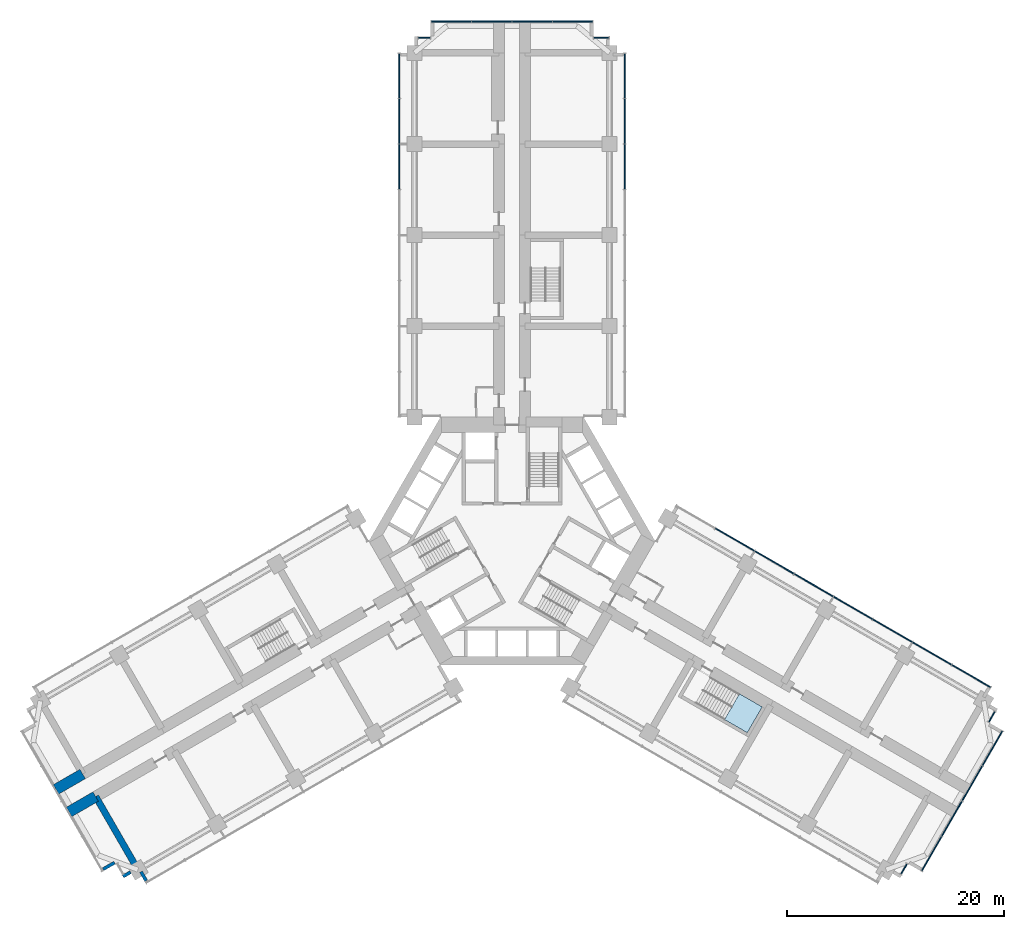
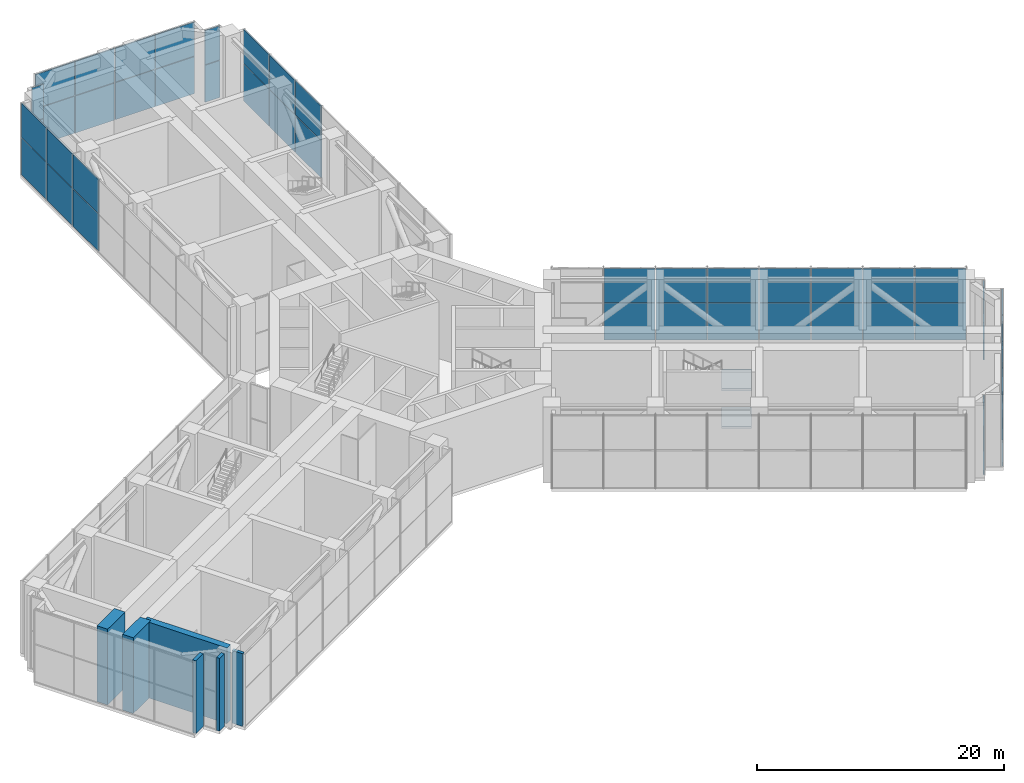
# One storey, part 12 of 19: 50 plates, 6 walls, 2 slabs, 10 elements without a shape of their own.
"""IFC4 building model written with IfcOpenShell, lengths in metres."""

from ifc_helpers import new_model, si_unit, direction, frame, frame_2d, origin, origin_2d, place, context, subcontext, project, spatial, polyline, rectangle, outline, extrude, material, layer, layer_set, type_object, element, aggregate, save


model = new_model("IFC4")

# Units and contexts
model_context = context("Model", 3, precision=1e-05, world=origin(), true_north=direction((0.0, 1.0)))
body_context = subcontext(model_context, "Body", "Model", "MODEL_VIEW")
ifc_project = project(units=[si_unit("LENGTHUNIT", "METRE"), si_unit("AREAUNIT", "SQUARE_METRE"), si_unit("VOLUMEUNIT", "CUBIC_METRE"), si_unit("PLANEANGLEUNIT", "RADIAN"), si_unit("MASSUNIT", "GRAM", prefix="KILO")], contexts=[model_context])

# Site, building, storey
site_placement = place(None, origin())
site = spatial("IfcSite", under=ifc_project, at=site_placement, CompositionType="ELEMENT")
building_placement = place(site_placement, origin())
building = spatial("IfcBuilding", under=site, at=building_placement, Name="Impinga Residences", CompositionType="ELEMENT")
storey_placement = place(building_placement, frame((0.0, 0.0, 93.5)))
storey = spatial("IfcBuildingStorey", under=building, at=storey_placement, Name="L23", CompositionType="ELEMENT", Elevation=93.5)

# Curtain wall, plates
ifc_material_1 = material(Name="Aluminium stick curtain wall", Category="aluminium")
curtain_wall_type = type_object("IfcCurtainWallType", Name="CW4 plant floor louvred curtain wall", PredefinedType="USERDEFINED", material=ifc_material_1)
curtain_wall_1_placement = place(storey_placement, origin())
curtain_wall_1 = element("IfcCurtainWall", 1, at=curtain_wall_1_placement, inside=storey, type_object=curtain_wall_type, Name="Curtain wall CW4 L23", ObjectType="STICK CURTAIN WALL", PredefinedType="USERDEFINED")
ifc_material_2 = material(Name="Aluminium louvre blade panel", Category="aluminium")
ifc_layer_1 = layer(ifc_material_2, 0.10009765625)
ifc_layer_set_1 = layer_set([ifc_layer_1], Name="CW4-P louvre panel 100")
plate_type = type_object("IfcPlateType", Name="CW4-P louvre panel 100", PredefinedType="CURTAIN_PANEL", material=ifc_layer_set_1)
plate_1_placement = place(storey_placement, frame((-10.39990234375, 34.531494140625, 0.06005859375), z_axis=(0.0, 0.0, 1.0), x_axis=(0.0, 1.0, 0.0)))
plate_1 = element("IfcPlate", 2, at=plate_1_placement, type_object=plate_type, Name="CW4 panel 6.1", PredefinedType="CURTAIN_PANEL", context=body_context, shape_type="SweptSolid", body=[
    extrude(rectangle(XDim=4.139892578125, YDim=0.10009765625, at=origin_2d()), origin(), (0.0, 0.0, 1.0), 3.659912109375),
])
plate_2_placement = place(storey_placement, frame((-10.39990234375, 34.531494140625, 3.77978515625), z_axis=(0.0, 0.0, 1.0), x_axis=(0.0, 1.0, 0.0)))
plate_2 = element("IfcPlate", 3, at=plate_2_placement, type_object=plate_type, Name="CW4 panel 6.2", PredefinedType="CURTAIN_PANEL", context=body_context, shape_type="SweptSolid", body=[
    extrude(rectangle(XDim=4.139892578125, YDim=0.10009765625, at=origin_2d()), origin(), (0.0, 0.0, 1.0), 3.360107421875),
])
plate_3_placement = place(storey_placement, frame((-10.39990234375, 38.7314453125, 0.06005859375), z_axis=(0.0, 0.0, 1.0), x_axis=(0.0, 1.0, 0.0)))
plate_3 = element("IfcPlate", 4, at=plate_3_placement, type_object=plate_type, Name="CW4 panel 7.1", PredefinedType="CURTAIN_PANEL", context=body_context, shape_type="SweptSolid", body=[
    extrude(rectangle(XDim=4.139892578125, YDim=0.10009765625, at=origin_2d()), origin(), (0.0, 0.0, 1.0), 3.659912109375),
])
plate_4_placement = place(storey_placement, frame((-10.39990234375, 38.7314453125, 3.77978515625), z_axis=(0.0, 0.0, 1.0), x_axis=(0.0, 1.0, 0.0)))
plate_4 = element("IfcPlate", 5, at=plate_4_placement, type_object=plate_type, Name="CW4 panel 7.2", PredefinedType="CURTAIN_PANEL", context=body_context, shape_type="SweptSolid", body=[
    extrude(rectangle(XDim=4.139892578125, YDim=0.10009765625, at=origin_2d()), origin(), (0.0, 0.0, 1.0), 3.360107421875),
])
plate_5_placement = place(storey_placement, frame((-10.39990234375, 42.91650390625, 0.06005859375), z_axis=(0.0, 0.0, 1.0), x_axis=(0.0, 1.0, 0.0)))
plate_5 = element("IfcPlate", 6, at=plate_5_placement, type_object=plate_type, Name="CW4 panel 8.1", PredefinedType="CURTAIN_PANEL", context=body_context, shape_type="SweptSolid", body=[
    extrude(rectangle(XDim=4.110107421875, YDim=0.10009765625, at=origin_2d()), origin(), (0.0, 0.0, 1.0), 3.659912109375),
])
plate_6_placement = place(storey_placement, frame((-10.39990234375, 42.91650390625, 3.77978515625), z_axis=(0.0, 0.0, 1.0), x_axis=(0.0, 1.0, 0.0)))
plate_6 = element("IfcPlate", 7, at=plate_6_placement, type_object=plate_type, Name="CW4 panel 8.2", PredefinedType="CURTAIN_PANEL", context=body_context, shape_type="SweptSolid", body=[
    extrude(rectangle(XDim=4.110107421875, YDim=0.10009765625, at=origin_2d()), origin(), (0.0, 0.0, 1.0), 3.360107421875),
])
aggregate(curtain_wall_1, [plate_1, plate_2, plate_3, plate_4, plate_5, plate_6])

curtain_wall_2_placement = place(storey_placement, origin())
curtain_wall_2 = element("IfcCurtainWall", 8, at=curtain_wall_2_placement, inside=storey, type_object=curtain_wall_type, Name="Curtain wall CW4 L23", ObjectType="STICK CURTAIN WALL", PredefinedType="USERDEFINED")
plate_7_placement = place(storey_placement, frame((-8.10009765625, 46.431640625, 0.06005859375), z_axis=(0.0, 0.0, 1.0), x_axis=(1.0, 0.0, 0.0)))
plate_7 = element("IfcPlate", 9, at=plate_7_placement, type_object=plate_type, Name="CW4 panel 1.1", PredefinedType="CURTAIN_PANEL", context=body_context, shape_type="SweptSolid", body=[
    extrude(rectangle(XDim=1.080078125, YDim=0.10009765625, at=origin_2d()), origin(), (0.0, 0.0, 1.0), 3.659912109375),
])
plate_8_placement = place(storey_placement, frame((-8.10009765625, 46.431640625, 3.77978515625), z_axis=(0.0, 0.0, 1.0), x_axis=(1.0, 0.0, 0.0)))
plate_8 = element("IfcPlate", 10, at=plate_8_placement, type_object=plate_type, Name="CW4 panel 1.2", PredefinedType="CURTAIN_PANEL", context=body_context, shape_type="SweptSolid", body=[
    extrude(rectangle(XDim=1.080078125, YDim=0.10009765625, at=origin_2d()), origin(), (0.0, 0.0, 1.0), 3.360107421875),
])
aggregate(curtain_wall_2, [plate_7, plate_8])

curtain_wall_3_placement = place(storey_placement, origin())
curtain_wall_3 = element("IfcCurtainWall", 11, at=curtain_wall_3_placement, inside=storey, type_object=curtain_wall_type, Name="Curtain wall CW4 L23", ObjectType="STICK CURTAIN WALL", PredefinedType="USERDEFINED")
plate_9_placement = place(storey_placement, frame((-5.610107421875, 47.931640625, 0.06005859375), z_axis=(0.0, 0.0, 1.0), x_axis=(1.0, 0.0, 0.0)))
plate_9 = element("IfcPlate", 12, at=plate_9_placement, type_object=plate_type, Name="CW4 panel 1.1", PredefinedType="CURTAIN_PANEL", context=body_context, shape_type="SweptSolid", body=[
    extrude(rectangle(XDim=3.659912109375, YDim=0.10009765625, at=origin_2d()), origin(), (0.0, 0.0, 1.0), 3.659912109375),
])
plate_10_placement = place(storey_placement, frame((-5.610107421875, 47.931640625, 3.77978515625), z_axis=(0.0, 0.0, 1.0), x_axis=(1.0, 0.0, 0.0)))
plate_10 = element("IfcPlate", 13, at=plate_10_placement, type_object=plate_type, Name="CW4 panel 1.2", PredefinedType="CURTAIN_PANEL", context=body_context, shape_type="SweptSolid", body=[
    extrude(rectangle(XDim=3.659912109375, YDim=0.10009765625, at=origin_2d()), origin(), (0.0, 0.0, 1.0), 3.360107421875),
])
plate_11_placement = place(storey_placement, frame((-1.875, 47.931640625, 0.06005859375), z_axis=(0.0, 0.0, 1.0), x_axis=(1.0, 0.0, 0.0)))
plate_11 = element("IfcPlate", 14, at=plate_11_placement, type_object=plate_type, Name="CW4 panel 2.1", PredefinedType="CURTAIN_PANEL", context=body_context, shape_type="SweptSolid", body=[
    extrude(rectangle(XDim=3.68994140625, YDim=0.10009765625, at=origin_2d()), origin(), (0.0, 0.0, 1.0), 3.659912109375),
])
plate_12_placement = place(storey_placement, frame((-1.875, 47.931640625, 3.77978515625), z_axis=(0.0, 0.0, 1.0), x_axis=(1.0, 0.0, 0.0)))
plate_12 = element("IfcPlate", 15, at=plate_12_placement, type_object=plate_type, Name="CW4 panel 2.2", PredefinedType="CURTAIN_PANEL", context=body_context, shape_type="SweptSolid", body=[
    extrude(rectangle(XDim=3.68994140625, YDim=0.10009765625, at=origin_2d()), origin(), (0.0, 0.0, 1.0), 3.360107421875),
])
plate_13_placement = place(storey_placement, frame((1.875, 47.931640625, 0.06005859375), z_axis=(0.0, 0.0, 1.0), x_axis=(1.0, 0.0, 0.0)))
plate_13 = element("IfcPlate", 16, at=plate_13_placement, type_object=plate_type, Name="CW4 panel 3.1", PredefinedType="CURTAIN_PANEL", context=body_context, shape_type="SweptSolid", body=[
    extrude(rectangle(XDim=3.68994140625, YDim=0.10009765625, at=origin_2d()), origin(), (0.0, 0.0, 1.0), 3.659912109375),
])
plate_14_placement = place(storey_placement, frame((1.875, 47.931640625, 3.77978515625), z_axis=(0.0, 0.0, 1.0), x_axis=(1.0, 0.0, 0.0)))
plate_14 = element("IfcPlate", 17, at=plate_14_placement, type_object=plate_type, Name="CW4 panel 3.2", PredefinedType="CURTAIN_PANEL", context=body_context, shape_type="SweptSolid", body=[
    extrude(rectangle(XDim=3.68994140625, YDim=0.10009765625, at=origin_2d()), origin(), (0.0, 0.0, 1.0), 3.360107421875),
])
plate_15_placement = place(storey_placement, frame((5.610107421875, 47.931640625, 0.06005859375), z_axis=(0.0, 0.0, 1.0), x_axis=(1.0, 0.0, 0.0)))
plate_15 = element("IfcPlate", 18, at=plate_15_placement, type_object=plate_type, Name="CW4 panel 4.1", PredefinedType="CURTAIN_PANEL", context=body_context, shape_type="SweptSolid", body=[
    extrude(rectangle(XDim=3.659912109375, YDim=0.10009765625, at=origin_2d()), origin(), (0.0, 0.0, 1.0), 3.659912109375),
])
plate_16_placement = place(storey_placement, frame((5.610107421875, 47.931640625, 3.77978515625), z_axis=(0.0, 0.0, 1.0), x_axis=(1.0, 0.0, 0.0)))
plate_16 = element("IfcPlate", 19, at=plate_16_placement, type_object=plate_type, Name="CW4 panel 4.2", PredefinedType="CURTAIN_PANEL", context=body_context, shape_type="SweptSolid", body=[
    extrude(rectangle(XDim=3.659912109375, YDim=0.10009765625, at=origin_2d()), origin(), (0.0, 0.0, 1.0), 3.360107421875),
])
aggregate(curtain_wall_3, [plate_9, plate_10, plate_11, plate_12, plate_13, plate_14, plate_15, plate_16])

curtain_wall_4_placement = place(storey_placement, origin())
curtain_wall_4 = element("IfcCurtainWall", 20, at=curtain_wall_4_placement, inside=storey, type_object=curtain_wall_type, Name="Curtain wall CW4 L23", ObjectType="STICK CURTAIN WALL", PredefinedType="USERDEFINED")
plate_17_placement = place(storey_placement, frame((8.25, 46.431640625, 0.06005859375), z_axis=(0.0, 0.0, 1.0), x_axis=(1.0, 0.0, 0.0)))
plate_17 = element("IfcPlate", 21, at=plate_17_placement, type_object=plate_type, Name="CW4 panel 1.1", PredefinedType="CURTAIN_PANEL", context=body_context, shape_type="SweptSolid", body=[
    extrude(rectangle(XDim=1.3798828125, YDim=0.10009765625, at=origin_2d()), origin(), (0.0, 0.0, 1.0), 3.659912109375),
])
plate_18_placement = place(storey_placement, frame((8.25, 46.431640625, 3.77978515625), z_axis=(0.0, 0.0, 1.0), x_axis=(1.0, 0.0, 0.0)))
plate_18 = element("IfcPlate", 22, at=plate_18_placement, type_object=plate_type, Name="CW4 panel 1.2", PredefinedType="CURTAIN_PANEL", context=body_context, shape_type="SweptSolid", body=[
    extrude(rectangle(XDim=1.3798828125, YDim=0.10009765625, at=origin_2d()), origin(), (0.0, 0.0, 1.0), 3.360107421875),
])
aggregate(curtain_wall_4, [plate_17, plate_18])

curtain_wall_5_placement = place(storey_placement, origin())
curtain_wall_5 = element("IfcCurtainWall", 23, at=curtain_wall_5_placement, inside=storey, type_object=curtain_wall_type, Name="Curtain wall CW4 L23", ObjectType="STICK CURTAIN WALL", PredefinedType="USERDEFINED")
plate_19_placement = place(storey_placement, frame((10.39990234375, 42.91650390625, 0.06005859375), z_axis=(0.0, 0.0, 1.0), x_axis=(0.0, -1.0, 0.0)))
plate_19 = element("IfcPlate", 24, at=plate_19_placement, type_object=plate_type, Name="CW4 panel 1.1", PredefinedType="CURTAIN_PANEL", context=body_context, shape_type="SweptSolid", body=[
    extrude(rectangle(XDim=4.110107421875, YDim=0.10009765625, at=origin_2d()), origin(), (0.0, 0.0, 1.0), 3.659912109375),
])
plate_20_placement = place(storey_placement, frame((10.39990234375, 42.91650390625, 3.77978515625), z_axis=(0.0, 0.0, 1.0), x_axis=(0.0, -1.0, 0.0)))
plate_20 = element("IfcPlate", 25, at=plate_20_placement, type_object=plate_type, Name="CW4 panel 1.2", PredefinedType="CURTAIN_PANEL", context=body_context, shape_type="SweptSolid", body=[
    extrude(rectangle(XDim=4.110107421875, YDim=0.10009765625, at=origin_2d()), origin(), (0.0, 0.0, 1.0), 3.360107421875),
])
plate_21_placement = place(storey_placement, frame((10.39990234375, 38.7314453125, 0.06005859375), z_axis=(0.0, 0.0, 1.0), x_axis=(0.0, -1.0, 0.0)))
plate_21 = element("IfcPlate", 26, at=plate_21_placement, type_object=plate_type, Name="CW4 panel 2.1", PredefinedType="CURTAIN_PANEL", context=body_context, shape_type="SweptSolid", body=[
    extrude(rectangle(XDim=4.139892578125, YDim=0.10009765625, at=origin_2d()), origin(), (0.0, 0.0, 1.0), 3.659912109375),
])
plate_22_placement = place(storey_placement, frame((10.39990234375, 38.7314453125, 3.77978515625), z_axis=(0.0, 0.0, 1.0), x_axis=(0.0, -1.0, 0.0)))
plate_22 = element("IfcPlate", 27, at=plate_22_placement, type_object=plate_type, Name="CW4 panel 2.2", PredefinedType="CURTAIN_PANEL", context=body_context, shape_type="SweptSolid", body=[
    extrude(rectangle(XDim=4.139892578125, YDim=0.10009765625, at=origin_2d()), origin(), (0.0, 0.0, 1.0), 3.360107421875),
])
plate_23_placement = place(storey_placement, frame((10.39990234375, 34.531494140625, 0.06005859375), z_axis=(0.0, 0.0, 1.0), x_axis=(0.0, -1.0, 0.0)))
plate_23 = element("IfcPlate", 28, at=plate_23_placement, type_object=plate_type, Name="CW4 panel 3.1", PredefinedType="CURTAIN_PANEL", context=body_context, shape_type="SweptSolid", body=[
    extrude(rectangle(XDim=4.139892578125, YDim=0.10009765625, at=origin_2d()), origin(), (0.0, 0.0, 1.0), 3.659912109375),
])
plate_24_placement = place(storey_placement, frame((10.39990234375, 34.531494140625, 3.77978515625), z_axis=(0.0, 0.0, 1.0), x_axis=(0.0, -1.0, 0.0)))
plate_24 = element("IfcPlate", 29, at=plate_24_placement, type_object=plate_type, Name="CW4 panel 3.2", PredefinedType="CURTAIN_PANEL", context=body_context, shape_type="SweptSolid", body=[
    extrude(rectangle(XDim=4.139892578125, YDim=0.10009765625, at=origin_2d()), origin(), (0.0, 0.0, 1.0), 3.360107421875),
])
aggregate(curtain_wall_5, [plate_19, plate_20, plate_21, plate_22, plate_23, plate_24])

curtain_wall_6_placement = place(storey_placement, origin())
curtain_wall_6 = element("IfcCurtainWall", 30, at=curtain_wall_6_placement, inside=storey, type_object=curtain_wall_type, Name="Curtain wall CW4 L23", ObjectType="STICK CURTAIN WALL", PredefinedType="USERDEFINED")
plate_25_placement = place(storey_placement, frame((20.555908203125, 0.140869140625, 0.06005859375), z_axis=(0.0, 0.0, 1.0), x_axis=(0.866025407005, -0.499999994423, 0.0)))
plate_25 = element("IfcPlate", 31, at=plate_25_placement, type_object=plate_type, Name="CW4 panel 2.1", PredefinedType="CURTAIN_PANEL", context=body_context, shape_type="SweptSolid", body=[
    extrude(rectangle(XDim=4.139892578125, YDim=0.10009765625, at=origin_2d()), origin(), (0.0, 0.0, 1.0), 3.659912109375),
])
plate_26_placement = place(storey_placement, frame((20.555908203125, 0.140869140625, 3.77978515625), z_axis=(0.0, 0.0, 1.0), x_axis=(0.866025407005, -0.499999994423, 0.0)))
plate_26 = element("IfcPlate", 32, at=plate_26_placement, type_object=plate_type, Name="CW4 panel 2.2", PredefinedType="CURTAIN_PANEL", context=body_context, shape_type="SweptSolid", body=[
    extrude(rectangle(XDim=4.139892578125, YDim=0.10009765625, at=origin_2d()), origin(), (0.0, 0.0, 1.0), 3.360107421875),
])
plate_27_placement = place(storey_placement, frame((24.193359375, -1.958984375, 0.06005859375), z_axis=(0.0, 0.0, 1.0), x_axis=(0.866025407005, -0.499999994423, 0.0)))
plate_27 = element("IfcPlate", 33, at=plate_27_placement, type_object=plate_type, Name="CW4 panel 3.1", PredefinedType="CURTAIN_PANEL", context=body_context, shape_type="SweptSolid", body=[
    extrude(rectangle(XDim=4.139892578125, YDim=0.10009765625, at=origin_2d()), origin(), (0.0, 0.0, 1.0), 3.659912109375),
])
plate_28_placement = place(storey_placement, frame((24.193359375, -1.958984375, 3.77978515625), z_axis=(0.0, 0.0, 1.0), x_axis=(0.866025407005, -0.499999994423, 0.0)))
plate_28 = element("IfcPlate", 34, at=plate_28_placement, type_object=plate_type, Name="CW4 panel 3.2", PredefinedType="CURTAIN_PANEL", context=body_context, shape_type="SweptSolid", body=[
    extrude(rectangle(XDim=4.139892578125, YDim=0.10009765625, at=origin_2d()), origin(), (0.0, 0.0, 1.0), 3.360107421875),
])
plate_29_placement = place(storey_placement, frame((27.83056640625, -4.05908203125, 0.06005859375), z_axis=(0.0, 0.0, 1.0), x_axis=(0.866025407005, -0.499999994423, 0.0)))
plate_29 = element("IfcPlate", 35, at=plate_29_placement, type_object=plate_type, Name="CW4 panel 4.1", PredefinedType="CURTAIN_PANEL", context=body_context, shape_type="SweptSolid", body=[
    extrude(rectangle(XDim=4.139892578125, YDim=0.10009765625, at=origin_2d()), origin(), (0.0, 0.0, 1.0), 3.659912109375),
])
plate_30_placement = place(storey_placement, frame((27.83056640625, -4.05908203125, 3.77978515625), z_axis=(0.0, 0.0, 1.0), x_axis=(0.866025407005, -0.499999994423, 0.0)))
plate_30 = element("IfcPlate", 36, at=plate_30_placement, type_object=plate_type, Name="CW4 panel 4.2", PredefinedType="CURTAIN_PANEL", context=body_context, shape_type="SweptSolid", body=[
    extrude(rectangle(XDim=4.139892578125, YDim=0.10009765625, at=origin_2d()), origin(), (0.0, 0.0, 1.0), 3.360107421875),
])
plate_31_placement = place(storey_placement, frame((31.4677734375, -6.1591796875, 0.06005859375), z_axis=(0.0, 0.0, 1.0), x_axis=(0.866025407005, -0.499999994423, 0.0)))
plate_31 = element("IfcPlate", 37, at=plate_31_placement, type_object=plate_type, Name="CW4 panel 5.1", PredefinedType="CURTAIN_PANEL", context=body_context, shape_type="SweptSolid", body=[
    extrude(rectangle(XDim=4.139892578125, YDim=0.10009765625, at=origin_2d()), origin(), (0.0, 0.0, 1.0), 3.659912109375),
])
plate_32_placement = place(storey_placement, frame((31.4677734375, -6.1591796875, 3.77978515625), z_axis=(0.0, 0.0, 1.0), x_axis=(0.866025407005, -0.499999994423, 0.0)))
plate_32 = element("IfcPlate", 38, at=plate_32_placement, type_object=plate_type, Name="CW4 panel 5.2", PredefinedType="CURTAIN_PANEL", context=body_context, shape_type="SweptSolid", body=[
    extrude(rectangle(XDim=4.139892578125, YDim=0.10009765625, at=origin_2d()), origin(), (0.0, 0.0, 1.0), 3.360107421875),
])
plate_33_placement = place(storey_placement, frame((35.105224609375, -8.259033203125, 0.06005859375), z_axis=(0.0, 0.0, 1.0), x_axis=(0.866025407005, -0.499999994423, 0.0)))
plate_33 = element("IfcPlate", 39, at=plate_33_placement, type_object=plate_type, Name="CW4 panel 6.1", PredefinedType="CURTAIN_PANEL", context=body_context, shape_type="SweptSolid", body=[
    extrude(rectangle(XDim=4.139892578125, YDim=0.10009765625, at=origin_2d()), origin(), (0.0, 0.0, 1.0), 3.659912109375),
])
plate_34_placement = place(storey_placement, frame((35.105224609375, -8.259033203125, 3.77978515625), z_axis=(0.0, 0.0, 1.0), x_axis=(0.866025407005, -0.499999994423, 0.0)))
plate_34 = element("IfcPlate", 40, at=plate_34_placement, type_object=plate_type, Name="CW4 panel 6.2", PredefinedType="CURTAIN_PANEL", context=body_context, shape_type="SweptSolid", body=[
    extrude(rectangle(XDim=4.139892578125, YDim=0.10009765625, at=origin_2d()), origin(), (0.0, 0.0, 1.0), 3.360107421875),
])
plate_35_placement = place(storey_placement, frame((38.742431640625, -10.359130859375, 0.06005859375), z_axis=(0.0, 0.0, 1.0), x_axis=(0.866025407005, -0.499999994423, 0.0)))
plate_35 = element("IfcPlate", 41, at=plate_35_placement, type_object=plate_type, Name="CW4 panel 7.1", PredefinedType="CURTAIN_PANEL", context=body_context, shape_type="SweptSolid", body=[
    extrude(rectangle(XDim=4.139892578125, YDim=0.10009765625, at=origin_2d()), origin(), (0.0, 0.0, 1.0), 3.659912109375),
])
plate_36_placement = place(storey_placement, frame((38.742431640625, -10.359130859375, 3.77978515625), z_axis=(0.0, 0.0, 1.0), x_axis=(0.866025407005, -0.499999994423, 0.0)))
plate_36 = element("IfcPlate", 42, at=plate_36_placement, type_object=plate_type, Name="CW4 panel 7.2", PredefinedType="CURTAIN_PANEL", context=body_context, shape_type="SweptSolid", body=[
    extrude(rectangle(XDim=4.139892578125, YDim=0.10009765625, at=origin_2d()), origin(), (0.0, 0.0, 1.0), 3.360107421875),
])
plate_37_placement = place(storey_placement, frame((42.36669921875, -12.45166015625, 0.06005859375), z_axis=(0.0, 0.0, 1.0), x_axis=(0.866025407005, -0.499999994423, 0.0)))
plate_37 = element("IfcPlate", 43, at=plate_37_placement, type_object=plate_type, Name="CW4 panel 8.1", PredefinedType="CURTAIN_PANEL", context=body_context, shape_type="SweptSolid", body=[
    extrude(rectangle(XDim=4.110107421875, YDim=0.10009765625, at=origin_2d()), origin(), (0.0, 0.0, 1.0), 3.659912109375),
])
plate_38_placement = place(storey_placement, frame((42.36669921875, -12.45166015625, 3.77978515625), z_axis=(0.0, 0.0, 1.0), x_axis=(0.866025407005, -0.499999994423, 0.0)))
plate_38 = element("IfcPlate", 44, at=plate_38_placement, type_object=plate_type, Name="CW4 panel 8.2", PredefinedType="CURTAIN_PANEL", context=body_context, shape_type="SweptSolid", body=[
    extrude(rectangle(XDim=4.110107421875, YDim=0.10009765625, at=origin_2d()), origin(), (0.0, 0.0, 1.0), 3.360107421875),
])
aggregate(curtain_wall_6, [plate_25, plate_26, plate_27, plate_28, plate_29, plate_30, plate_31, plate_32, plate_33, plate_34, plate_35, plate_36, plate_37, plate_38])

curtain_wall_7_placement = place(storey_placement, origin())
curtain_wall_7 = element("IfcCurtainWall", 45, at=curtain_wall_7_placement, inside=storey, type_object=curtain_wall_type, Name="Curtain wall CW4 L23", ObjectType="STICK CURTAIN WALL", PredefinedType="USERDEFINED")
plate_39_placement = place(storey_placement, frame((44.260986328125, -16.200927734375, 0.06005859375), z_axis=(0.0, 0.0, 1.0), x_axis=(-0.50000017485, -0.866025302835, 0.0)))
plate_39 = element("IfcPlate", 46, at=plate_39_placement, type_object=plate_type, Name="CW4 panel 1.1", PredefinedType="CURTAIN_PANEL", context=body_context, shape_type="SweptSolid", body=[
    extrude(rectangle(XDim=1.080078125, YDim=0.10009765625, at=origin_2d()), origin(), (0.0, 0.0, 1.0), 3.659912109375),
])
plate_40_placement = place(storey_placement, frame((44.260986328125, -16.200927734375, 3.77978515625), z_axis=(0.0, 0.0, 1.0), x_axis=(-0.50000017485, -0.866025302835, 0.0)))
plate_40 = element("IfcPlate", 47, at=plate_40_placement, type_object=plate_type, Name="CW4 panel 1.2", PredefinedType="CURTAIN_PANEL", context=body_context, shape_type="SweptSolid", body=[
    extrude(rectangle(XDim=1.080078125, YDim=0.10009765625, at=origin_2d()), origin(), (0.0, 0.0, 1.0), 3.360107421875),
])
aggregate(curtain_wall_7, [plate_39, plate_40])

curtain_wall_8_placement = place(storey_placement, origin())
curtain_wall_8 = element("IfcCurtainWall", 48, at=curtain_wall_8_placement, inside=storey, type_object=curtain_wall_type, Name="Curtain wall CW4 L23", ObjectType="STICK CURTAIN WALL", PredefinedType="USERDEFINED")
plate_41_placement = place(storey_placement, frame((44.31494140625, -19.107421875, 0.06005859375), z_axis=(0.0, 0.0, 1.0), x_axis=(-0.500000001632, -0.866025402842, 0.0)))
plate_41 = element("IfcPlate", 49, at=plate_41_placement, type_object=plate_type, Name="CW4 panel 1.1", PredefinedType="CURTAIN_PANEL", context=body_context, shape_type="SweptSolid", body=[
    extrude(rectangle(XDim=3.659912109375, YDim=0.10009765625, at=origin_2d()), origin(), (0.0, 0.0, 1.0), 3.659912109375),
])
plate_42_placement = place(storey_placement, frame((44.31494140625, -19.107421875, 3.77978515625), z_axis=(0.0, 0.0, 1.0), x_axis=(-0.500000001632, -0.866025402842, 0.0)))
plate_42 = element("IfcPlate", 50, at=plate_42_placement, type_object=plate_type, Name="CW4 panel 1.2", PredefinedType="CURTAIN_PANEL", context=body_context, shape_type="SweptSolid", body=[
    extrude(rectangle(XDim=3.659912109375, YDim=0.10009765625, at=origin_2d()), origin(), (0.0, 0.0, 1.0), 3.360107421875),
])
plate_43_placement = place(storey_placement, frame((42.447509765625, -22.342041015625, 0.06005859375), z_axis=(0.0, 0.0, 1.0), x_axis=(-0.500000001632, -0.866025402842, 0.0)))
plate_43 = element("IfcPlate", 51, at=plate_43_placement, type_object=plate_type, Name="CW4 panel 2.1", PredefinedType="CURTAIN_PANEL", context=body_context, shape_type="SweptSolid", body=[
    extrude(rectangle(XDim=3.68994140625, YDim=0.10009765625, at=origin_2d()), origin(), (0.0, 0.0, 1.0), 3.659912109375),
])
plate_44_placement = place(storey_placement, frame((42.447509765625, -22.342041015625, 3.77978515625), z_axis=(0.0, 0.0, 1.0), x_axis=(-0.500000001632, -0.866025402842, 0.0)))
plate_44 = element("IfcPlate", 52, at=plate_44_placement, type_object=plate_type, Name="CW4 panel 2.2", PredefinedType="CURTAIN_PANEL", context=body_context, shape_type="SweptSolid", body=[
    extrude(rectangle(XDim=3.68994140625, YDim=0.10009765625, at=origin_2d()), origin(), (0.0, 0.0, 1.0), 3.360107421875),
])
plate_45_placement = place(storey_placement, frame((40.572509765625, -25.589599609375, 0.06005859375), z_axis=(0.0, 0.0, 1.0), x_axis=(-0.500000001632, -0.866025402842, 0.0)))
plate_45 = element("IfcPlate", 53, at=plate_45_placement, type_object=plate_type, Name="CW4 panel 3.1", PredefinedType="CURTAIN_PANEL", context=body_context, shape_type="SweptSolid", body=[
    extrude(rectangle(XDim=3.68994140625, YDim=0.10009765625, at=origin_2d()), origin(), (0.0, 0.0, 1.0), 3.659912109375),
])
plate_46_placement = place(storey_placement, frame((40.572509765625, -25.589599609375, 3.77978515625), z_axis=(0.0, 0.0, 1.0), x_axis=(-0.500000001632, -0.866025402842, 0.0)))
plate_46 = element("IfcPlate", 54, at=plate_46_placement, type_object=plate_type, Name="CW4 panel 3.2", PredefinedType="CURTAIN_PANEL", context=body_context, shape_type="SweptSolid", body=[
    extrude(rectangle(XDim=3.68994140625, YDim=0.10009765625, at=origin_2d()), origin(), (0.0, 0.0, 1.0), 3.360107421875),
])
plate_47_placement = place(storey_placement, frame((38.704833984375, -28.82421875, 0.06005859375), z_axis=(0.0, 0.0, 1.0), x_axis=(-0.500000001632, -0.866025402842, 0.0)))
plate_47 = element("IfcPlate", 55, at=plate_47_placement, type_object=plate_type, Name="CW4 panel 4.1", PredefinedType="CURTAIN_PANEL", context=body_context, shape_type="SweptSolid", body=[
    extrude(rectangle(XDim=3.659912109375, YDim=0.10009765625, at=origin_2d()), origin(), (0.0, 0.0, 1.0), 3.659912109375),
])
plate_48_placement = place(storey_placement, frame((38.704833984375, -28.82421875, 3.77978515625), z_axis=(0.0, 0.0, 1.0), x_axis=(-0.500000001632, -0.866025402842, 0.0)))
plate_48 = element("IfcPlate", 56, at=plate_48_placement, type_object=plate_type, Name="CW4 panel 4.2", PredefinedType="CURTAIN_PANEL", context=body_context, shape_type="SweptSolid", body=[
    extrude(rectangle(XDim=3.659912109375, YDim=0.10009765625, at=origin_2d()), origin(), (0.0, 0.0, 1.0), 3.360107421875),
])
aggregate(curtain_wall_8, [plate_41, plate_42, plate_43, plate_44, plate_45, plate_46, plate_47, plate_48])

curtain_wall_9_placement = place(storey_placement, origin())
curtain_wall_9 = element("IfcCurtainWall", 57, at=curtain_wall_9_placement, inside=storey, type_object=curtain_wall_type, Name="Curtain wall CW4 L23", ObjectType="STICK CURTAIN WALL", PredefinedType="USERDEFINED")
plate_49_placement = place(storey_placement, frame((36.160888671875, -30.23046875, 0.06005859375), z_axis=(0.0, 0.0, 1.0), x_axis=(-0.499999813995, -0.866025511175, 0.0)))
plate_49 = element("IfcPlate", 58, at=plate_49_placement, type_object=plate_type, Name="CW4 panel 1.1", PredefinedType="CURTAIN_PANEL", context=body_context, shape_type="SweptSolid", body=[
    extrude(rectangle(XDim=1.080078125, YDim=0.10009765625, at=origin_2d()), origin(), (0.0, 0.0, 1.0), 3.659912109375),
])
plate_50_placement = place(storey_placement, frame((36.160888671875, -30.23046875, 3.77978515625), z_axis=(0.0, 0.0, 1.0), x_axis=(-0.499999813995, -0.866025511175, 0.0)))
plate_50 = element("IfcPlate", 59, at=plate_50_placement, type_object=plate_type, Name="CW4 panel 1.2", PredefinedType="CURTAIN_PANEL", context=body_context, shape_type="SweptSolid", body=[
    extrude(rectangle(XDim=1.080078125, YDim=0.10009765625, at=origin_2d()), origin(), (0.0, 0.0, 1.0), 3.360107421875),
])
aggregate(curtain_wall_9, [plate_49, plate_50])

# Stair, slabs
ifc_material_3 = material(Name="Concrete C40/50", Category="concrete")
stair_type = type_object("IfcStairType", Name="STR wing stair 7500 storey, 48 risers", PredefinedType="HALF_TURN_STAIR", material=ifc_material_3)
stair_placement = place(storey_placement, origin())
stair = element("IfcStair", 60, at=stair_placement, inside=storey, type_object=stair_type, Name="Stair WS3 L23", PredefinedType="HALF_TURN_STAIR")
ifc_layer_2 = layer(ifc_material_3, 0.199951171875)
ifc_layer_set_2 = layer_set([ifc_layer_2], Name="Concrete C40/50")
slab_type = type_object("IfcSlabType", Name="LS1 stair landing 200", PredefinedType="LANDING", material=ifc_layer_set_2)
slab_1_placement = place(storey_placement, frame((0.0, 0.0, 1.675048828125)))
slab_1 = element("IfcSlab", 61, at=slab_1_placement, type_object=slab_type, Name="WS3 landing 2", PredefinedType="LANDING", context=body_context, shape_type="SweptSolid", body=[
    extrude(outline(polyline([(20.97509765625, -14.072998046875), (19.60009765625, -16.45458984375), (21.70458984375, -17.669677734375), (23.07958984375, -15.2880859375), (20.97509765625, -14.072998046875)])), origin(), (0.0, 0.0, 1.0), 0.199951171875),
])
slab_2_placement = place(storey_placement, frame((0.0, 0.0, 5.425048828125)))
slab_2 = element("IfcSlab", 62, at=slab_2_placement, type_object=slab_type, Name="WS3 landing 4", PredefinedType="LANDING", context=body_context, shape_type="SweptSolid", body=[
    extrude(outline(polyline([(20.97509765625, -14.072998046875), (19.60009765625, -16.45458984375), (21.70458984375, -17.669677734375), (23.07958984375, -15.2880859375), (20.97509765625, -14.072998046875)])), origin(), (0.0, 0.0, 1.0), 0.199951171875),
])
aggregate(stair, [slab_1, slab_2])

# Walls
ifc_material_4 = material(Name="Stone facing on blockwork", Category="masonry")
ifc_layer_3 = layer(ifc_material_4, 0.300048828125)
ifc_layer_set_3 = layer_set([ifc_layer_3], Name="EW2 external wall, stone facing on blockwork 300")
wall_type_1 = type_object("IfcWallType", Name="EW2 external wall, stone facing on blockwork 300", PredefinedType="SOLIDWALL", material=ifc_layer_set_3)
wall_1_placement = place(storey_placement, frame((-33.73974609375, -31.323974609375, 0.0), z_axis=(0.0, 0.0, 1.0), x_axis=(-0.500060909899, 0.865990234582, 0.0)))
element("IfcWall", 63, at=wall_1_placement, inside=storey, type_object=wall_type_1, Name="External wall EW2 L23", PredefinedType="SOLIDWALL", context=body_context, shape_type="SweptSolid", body=[
    extrude(rectangle(XDim=0.95751953125, YDim=0.300048828125, at=frame_2d((0.478759765625, 0.0))), origin(), (0.0, 0.0, 1.0), 7.199951171875),
])
wall_2_placement = place(storey_placement, frame((-35.182373046875, -30.531494140625, 0.0), z_axis=(0.0, 0.0, 1.0), x_axis=(-0.865915193073, -0.500190841984, 0.0)))
element("IfcWall", 64, at=wall_2_placement, inside=storey, type_object=wall_type_1, Name="External wall EW2 L23", PredefinedType="SOLIDWALL", context=body_context, shape_type="SweptSolid", body=[
    extrude(rectangle(XDim=0.797119140625, YDim=0.300048828125, at=frame_2d((0.3984375, 0.0))), origin(), (0.0, 0.0, 1.0), 7.199951171875),
])
wall_3_placement = place(storey_placement, frame((-36.6591796875, -29.65234375, 0.0), z_axis=(0.0, 0.0, 1.0), x_axis=(-0.866058436235, -0.499942781752, 0.0)))
element("IfcWall", 65, at=wall_3_placement, inside=storey, type_object=wall_type_1, Name="External wall EW2 L23", PredefinedType="SOLIDWALL", context=body_context, shape_type="SweptSolid", body=[
    extrude(rectangle(XDim=1.215087890625, YDim=0.300048828125, at=frame_2d((0.607421875, 0.0))), origin(), (0.0, 0.0, 1.0), 7.199951171875),
])
ifc_material_5 = material(Name="Concrete C60/75", Category="concrete")
ifc_layer_4 = layer(ifc_material_5, 1.0)
ifc_layer_set_4 = layer_set([ifc_layer_4], Name="Concrete C60/75")
wall_type_2 = type_object("IfcWallType", Name="OW1 outrigger wall on the corridor line 1000", PredefinedType="SHEAR", material=ifc_layer_set_4)
for number, where, z_axis, x_axis, name in (
    (66, (-38.3984375, -23.554931640625, 0.0), (0.0, 0.0, 1.0), (-0.866006583242, -0.500032596719, 0.0), "Corridor wall OW1 WC L23"),
    (67, (-39.598388671875, -21.4765625, 0.0), (0.0, 0.0, 1.0), (-0.866043818878, -0.499968102766, 0.0), "Corridor wall OW1 WD L23"),
):
    element("IfcWall", number, at=place(storey_placement, frame(where, z_axis=z_axis, x_axis=x_axis)), inside=storey, type_object=wall_type_2, Name=name, PredefinedType="SHEAR", context=body_context, shape_type="SweptSolid", body=[
        extrude(rectangle(XDim=2.839111328125, YDim=1.0, at=frame_2d((1.41943359375, 0.0))), origin(), (0.0, 0.0, 1.0), 7.5),
    ])
ifc_layer_5 = layer(ifc_material_5, 0.60009765625)
ifc_layer_set_5 = layer_set([ifc_layer_5], Name="Concrete C60/75")
wall_type_3 = type_object("IfcWallType", Name="OW2 outrigger arm wall to the perimeter columns 600", PredefinedType="SHEAR", material=ifc_layer_set_5)
wall_4_placement = place(storey_placement, frame((-38.3984375, -23.554931640625, 0.0), z_axis=(0.0, 0.0, 1.0), x_axis=(0.499983459557, -0.866034953203, 0.0)))
element("IfcWall", 68, at=wall_4_placement, inside=storey, type_object=wall_type_3, Name="Outrigger wall OW2 W5/WA L23", PredefinedType="SHEAR", context=body_context, shape_type="SweptSolid", body=[
    extrude(rectangle(XDim=7.800048828125, YDim=0.60009765625, at=frame_2d((3.89990234375, 0.0))), origin(), (0.0, 0.0, 1.0), 7.5),
])

save(model, "model.ifc")
